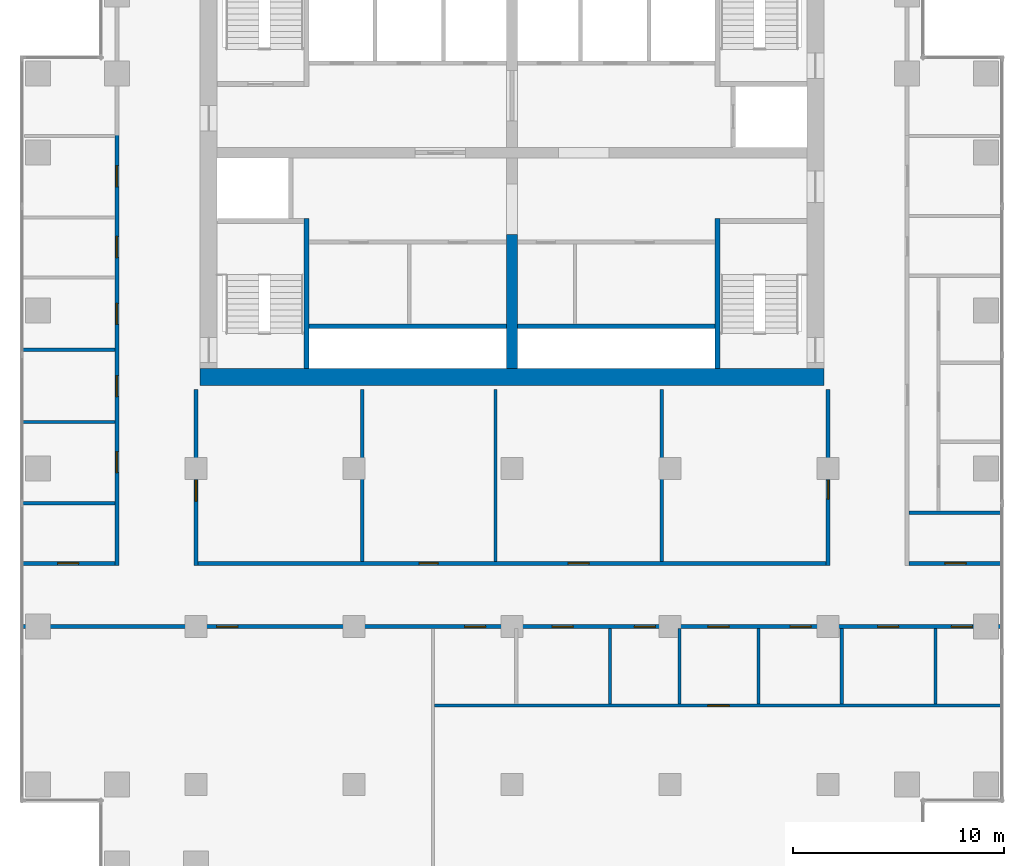
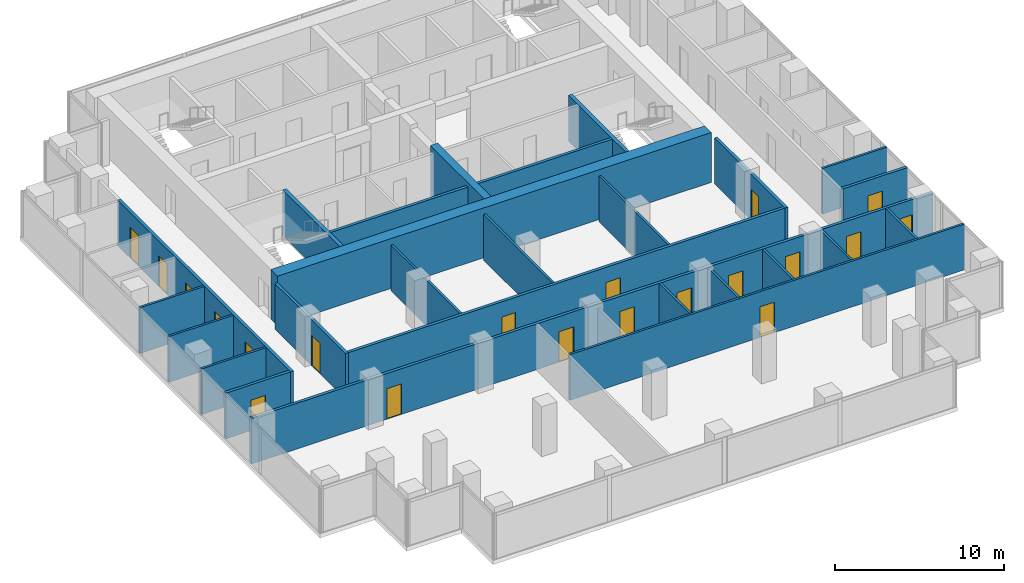
# One storey, part 7 of 10: 26 walls, 20 doors, 20 openings.
"""IFC4 building model written with IfcOpenShell, lengths in metres."""

from ifc_helpers import new_model, si_unit, direction, frame, frame_2d, origin, place, context, subcontext, project, spatial, rectangle, extrude, material, layer, layer_set, type_object, element, fill, save


model = new_model("IFC4")

# Units and contexts
model_context = context("Model", 3, precision=1e-05, world=origin(), true_north=direction((0.0, 1.0)))
body_context = subcontext(model_context, "Body", "Model", "MODEL_VIEW")
ifc_project = project(units=[si_unit("LENGTHUNIT", "METRE"), si_unit("AREAUNIT", "SQUARE_METRE"), si_unit("VOLUMEUNIT", "CUBIC_METRE"), si_unit("PLANEANGLEUNIT", "RADIAN"), si_unit("MASSUNIT", "GRAM", prefix="KILO")], contexts=[model_context])

# Site, building, storey
site_placement = place(None, origin())
site = spatial("IfcSite", under=ifc_project, at=site_placement, CompositionType="ELEMENT")
building_placement = place(site_placement, origin())
building = spatial("IfcBuilding", under=site, at=building_placement, Name="Pilkhan Gate Tower", CompositionType="ELEMENT")
storey_placement = place(building_placement, frame((0.0, 0.0, 165.699951171875)))
storey = spatial("IfcBuildingStorey", under=building, at=storey_placement, Name="L42", CompositionType="ELEMENT", Elevation=165.699951171875)

# Wall
ifc_material_1 = material(Name="Concrete C60/75", Category="concrete")
ifc_layer_1 = layer(ifc_material_1, 0.800048828125)
ifc_layer_set_1 = layer_set([ifc_layer_1], Name="Core wall CW800 C60/75")
wall_type_1 = type_object("IfcWallType", Name="Core wall CW800 C60/75", PredefinedType="SHEAR", material=ifc_layer_set_1)
wall_1_placement = place(storey_placement, frame((60.199951171875, 71.85009765625, 0.0), z_axis=(0.0, 0.0, 1.0), x_axis=(1.0, 0.0, 0.0)))
element("IfcWall", 1, at=wall_1_placement, inside=storey, type_object=wall_type_1, Name="Core wall S L42", PredefinedType="SHEAR", context=body_context, shape_type="SweptSolid", body=[
    extrude(rectangle(XDim=29.60009765625, YDim=0.800048828125, at=frame_2d((14.800048828125, 0.0))), origin(), (0.0, 0.0, 1.0), 3.60009765625),
])

# Wall, openings, doors
ifc_material_2 = material(Name="Dense blockwork", Category="masonry")
ifc_layer_2 = layer(ifc_material_2, 0.199951171875)
ifc_layer_set_2 = layer_set([ifc_layer_2], Name="Corridor wall FW200")
wall_type_2 = type_object("IfcWallType", Name="Corridor wall FW200", PredefinedType="PARTITIONING", material=ifc_layer_set_2)
wall_2_placement = place(storey_placement, frame((51.735107421875, 60.0, 0.0), z_axis=(0.0, 0.0, 1.0), x_axis=(1.0, 0.0, 0.0)))
wall_2 = element("IfcWall", 2, at=wall_2_placement, inside=storey, type_object=wall_type_2, Name="Partition L42", PredefinedType="PARTITIONING", context=body_context, shape_type="SweptSolid", body=[
    extrude(rectangle(XDim=46.52978515625, YDim=0.199951171875, at=frame_2d((23.264892578125, 0.0))), origin(), (0.0, 0.0, 1.0), 3.300048828125),
])
opening_1_placement = place(wall_2_placement, frame((25.169921875, 0.0, 0.0)))
opening_1 = element("IfcOpeningElement", 3, at=opening_1_placement, cuts=wall_2, Name="Opening L42-06", PredefinedType="OPENING", context=body_context, shape_type="SweptSolid", body=[
    extrude(rectangle(XDim=1.0, YDim=2.199951171875, at=frame_2d((0.5, 1.10009765625))), frame((0.0, 0.10986328125, 0.0), z_axis=(0.0, -1.0, 0.0), x_axis=(1.0, 0.0, 0.0)), (0.0, 0.0, 1.0), 0.219970703125),
])
opening_2_placement = place(wall_2_placement, frame((32.56494140625, 0.0, 0.0)))
opening_2 = element("IfcOpeningElement", 4, at=opening_2_placement, cuts=wall_2, Name="Opening L42-07", PredefinedType="OPENING", context=body_context, shape_type="SweptSolid", body=[
    extrude(rectangle(XDim=1.0, YDim=2.199951171875, at=frame_2d((0.5, 1.10009765625))), frame((0.0, 0.10986328125, 0.0), z_axis=(0.0, -1.0, 0.0), x_axis=(1.0, 0.0, 0.0)), (0.0, 0.0, 1.0), 0.219970703125),
])
opening_3_placement = place(wall_2_placement, frame((40.6201171875, 0.0, 0.0)))
opening_3 = element("IfcOpeningElement", 5, at=opening_3_placement, cuts=wall_2, Name="Opening L42-08", PredefinedType="OPENING", context=body_context, shape_type="SweptSolid", body=[
    extrude(rectangle(XDim=1.0, YDim=2.199951171875, at=frame_2d((0.5, 1.10009765625))), frame((0.0, 0.10986328125, 0.0), z_axis=(0.0, -1.0, 0.0), x_axis=(1.0, 0.0, 0.0)), (0.0, 0.0, 1.0), 0.219970703125),
])
opening_4_placement = place(wall_2_placement, frame((9.25, 0.0, 0.0)))
opening_4 = element("IfcOpeningElement", 6, at=opening_4_placement, cuts=wall_2, Name="Opening L42-18", PredefinedType="OPENING", context=body_context, shape_type="SweptSolid", body=[
    extrude(rectangle(XDim=1.0, YDim=2.199951171875, at=frame_2d((0.5, 1.10009765625))), frame((0.0, 0.10986328125, 0.0), z_axis=(0.0, -1.0, 0.0), x_axis=(1.0, 0.0, 0.0)), (0.0, 0.0, 1.0), 0.219970703125),
])
opening_5_placement = place(wall_2_placement, frame((21.014892578125, 0.0, 0.0)))
opening_5 = element("IfcOpeningElement", 7, at=opening_5_placement, cuts=wall_2, Name="Opening L42-19", PredefinedType="OPENING", context=body_context, shape_type="SweptSolid", body=[
    extrude(rectangle(XDim=1.0, YDim=2.199951171875, at=frame_2d((0.5, 1.10009765625))), frame((0.0, 0.10986328125, 0.0), z_axis=(0.0, -1.0, 0.0), x_axis=(1.0, 0.0, 0.0)), (0.0, 0.0, 1.0), 0.219970703125),
])
opening_6_placement = place(wall_2_placement, frame((29.069091796875, 0.0, 0.0)))
opening_6 = element("IfcOpeningElement", 8, at=opening_6_placement, cuts=wall_2, Name="Opening L42-20", PredefinedType="OPENING", context=body_context, shape_type="SweptSolid", body=[
    extrude(rectangle(XDim=1.0, YDim=2.199951171875, at=frame_2d((0.5, 1.10009765625))), frame((0.0, 0.10986328125, 0.0), z_axis=(0.0, -1.0, 0.0), x_axis=(1.0, 0.0, 0.0)), (0.0, 0.0, 1.0), 0.219970703125),
])
opening_7_placement = place(wall_2_placement, frame((36.465087890625, 0.0, 0.0)))
opening_7 = element("IfcOpeningElement", 9, at=opening_7_placement, cuts=wall_2, Name="Opening L42-21", PredefinedType="OPENING", context=body_context, shape_type="SweptSolid", body=[
    extrude(rectangle(XDim=1.0, YDim=2.199951171875, at=frame_2d((0.5, 1.10009765625))), frame((0.0, 0.10986328125, 0.0), z_axis=(0.0, -1.0, 0.0), x_axis=(1.0, 0.0, 0.0)), (0.0, 0.0, 1.0), 0.219970703125),
])
opening_8_placement = place(wall_2_placement, frame((44.118896484375, 0.0, 0.0)))
opening_8 = element("IfcOpeningElement", 10, at=opening_8_placement, cuts=wall_2, Name="Opening L42-22", PredefinedType="OPENING", context=body_context, shape_type="SweptSolid", body=[
    extrude(rectangle(XDim=1.0, YDim=2.199951171875, at=frame_2d((0.5, 1.10009765625))), frame((0.0, 0.10986328125, 0.0), z_axis=(0.0, -1.0, 0.0), x_axis=(1.0, 0.0, 0.0)), (0.0, 0.0, 1.0), 0.219970703125),
])
ifc_material_3 = material(Name="Timber flush door, 30 minute fire resisting", Category="wood")
door_type_1 = type_object("IfcDoorType", Name="Room door D03 1000x2200", OperationType="SINGLE_SWING_LEFT", PredefinedType="DOOR", material=ifc_material_3)
door_1_placement = place(opening_1_placement, origin())
door_1 = element("IfcDoor", 11, at=door_1_placement, inside=storey, type_object=door_type_1, Name="Room door", OperationType="SINGLE_SWING_LEFT", OverallHeight=2.199951171875, OverallWidth=1.0, PredefinedType="DOOR", context=body_context, shape_type="SweptSolid", body=[
    extrude(rectangle(XDim=1.0, YDim=2.199951171875, at=frame_2d((0.5, 1.10009765625))), frame((0.0, 0.02490234375, 0.0), z_axis=(0.0, -1.0, 0.0), x_axis=(1.0, 0.0, 0.0)), (0.0, 0.0, 1.0), 0.050048828125),
])
fill(opening_1, door_1)
door_2_placement = place(opening_2_placement, origin())
door_2 = element("IfcDoor", 12, at=door_2_placement, inside=storey, type_object=door_type_1, Name="Room door", OperationType="SINGLE_SWING_LEFT", OverallHeight=2.199951171875, OverallWidth=1.0, PredefinedType="DOOR", context=body_context, shape_type="SweptSolid", body=[
    extrude(rectangle(XDim=1.0, YDim=2.199951171875, at=frame_2d((0.5, 1.10009765625))), frame((0.0, 0.02490234375, 0.0), z_axis=(0.0, -1.0, 0.0), x_axis=(1.0, 0.0, 0.0)), (0.0, 0.0, 1.0), 0.050048828125),
])
fill(opening_2, door_2)
door_3_placement = place(opening_3_placement, origin())
door_3 = element("IfcDoor", 13, at=door_3_placement, inside=storey, type_object=door_type_1, Name="Room door", OperationType="SINGLE_SWING_LEFT", OverallHeight=2.199951171875, OverallWidth=1.0, PredefinedType="DOOR", context=body_context, shape_type="SweptSolid", body=[
    extrude(rectangle(XDim=1.0, YDim=2.199951171875, at=frame_2d((0.5, 1.10009765625))), frame((0.0, 0.02490234375, 0.0), z_axis=(0.0, -1.0, 0.0), x_axis=(1.0, 0.0, 0.0)), (0.0, 0.0, 1.0), 0.050048828125),
])
fill(opening_3, door_3)
door_4_placement = place(opening_4_placement, origin())
door_4 = element("IfcDoor", 14, at=door_4_placement, inside=storey, type_object=door_type_1, Name="Room door", OperationType="SINGLE_SWING_LEFT", OverallHeight=2.199951171875, OverallWidth=1.0, PredefinedType="DOOR", context=body_context, shape_type="SweptSolid", body=[
    extrude(rectangle(XDim=1.0, YDim=2.199951171875, at=frame_2d((0.5, 1.10009765625))), frame((0.0, 0.02490234375, 0.0), z_axis=(0.0, -1.0, 0.0), x_axis=(1.0, 0.0, 0.0)), (0.0, 0.0, 1.0), 0.050048828125),
])
fill(opening_4, door_4)
door_5_placement = place(opening_5_placement, origin())
door_5 = element("IfcDoor", 15, at=door_5_placement, inside=storey, type_object=door_type_1, Name="Room door", OperationType="SINGLE_SWING_LEFT", OverallHeight=2.199951171875, OverallWidth=1.0, PredefinedType="DOOR", context=body_context, shape_type="SweptSolid", body=[
    extrude(rectangle(XDim=1.0, YDim=2.199951171875, at=frame_2d((0.5, 1.10009765625))), frame((0.0, 0.02490234375, 0.0), z_axis=(0.0, -1.0, 0.0), x_axis=(1.0, 0.0, 0.0)), (0.0, 0.0, 1.0), 0.050048828125),
])
fill(opening_5, door_5)
door_6_placement = place(opening_6_placement, origin())
door_6 = element("IfcDoor", 16, at=door_6_placement, inside=storey, type_object=door_type_1, Name="Room door", OperationType="SINGLE_SWING_RIGHT", OverallHeight=2.199951171875, OverallWidth=1.0, PredefinedType="DOOR", context=body_context, shape_type="SweptSolid", body=[
    extrude(rectangle(XDim=1.0, YDim=2.199951171875, at=frame_2d((0.5, 1.10009765625))), frame((0.0, 0.02490234375, 0.0), z_axis=(0.0, -1.0, 0.0), x_axis=(1.0, 0.0, 0.0)), (0.0, 0.0, 1.0), 0.050048828125),
])
fill(opening_6, door_6)
door_7_placement = place(opening_7_placement, origin())
door_7 = element("IfcDoor", 17, at=door_7_placement, inside=storey, type_object=door_type_1, Name="Room door", OperationType="SINGLE_SWING_LEFT", OverallHeight=2.199951171875, OverallWidth=1.0, PredefinedType="DOOR", context=body_context, shape_type="SweptSolid", body=[
    extrude(rectangle(XDim=1.0, YDim=2.199951171875, at=frame_2d((0.5, 1.10009765625))), frame((0.0, 0.02490234375, 0.0), z_axis=(0.0, -1.0, 0.0), x_axis=(1.0, 0.0, 0.0)), (0.0, 0.0, 1.0), 0.050048828125),
])
fill(opening_7, door_7)
door_8_placement = place(opening_8_placement, origin())
door_8 = element("IfcDoor", 18, at=door_8_placement, inside=storey, type_object=door_type_1, Name="Room door", OperationType="SINGLE_SWING_LEFT", OverallHeight=2.199951171875, OverallWidth=1.0, PredefinedType="DOOR", context=body_context, shape_type="SweptSolid", body=[
    extrude(rectangle(XDim=1.0, YDim=2.199951171875, at=frame_2d((0.5, 1.10009765625))), frame((0.0, 0.02490234375, 0.0), z_axis=(0.0, -1.0, 0.0), x_axis=(1.0, 0.0, 0.0)), (0.0, 0.0, 1.0), 0.050048828125),
])
fill(opening_8, door_8)

# Wall, opening, door
wall_3_placement = place(storey_placement, frame((51.735107421875, 63.0, 0.0), z_axis=(0.0, 0.0, 1.0), x_axis=(1.0, 0.0, 0.0)))
wall_3 = element("IfcWall", 19, at=wall_3_placement, inside=storey, type_object=wall_type_2, Name="Partition L42", PredefinedType="PARTITIONING", context=body_context, shape_type="SweptSolid", body=[
    extrude(rectangle(XDim=4.414794921875, YDim=0.199951171875, at=frame_2d((2.20751953125, 0.0))), origin(), (0.0, 0.0, 1.0), 3.300048828125),
])
opening_9_placement = place(wall_3_placement, frame((1.699951171875, 0.0, 0.0)))
opening_9 = element("IfcOpeningElement", 20, at=opening_9_placement, cuts=wall_3, Name="Opening L42-24", PredefinedType="OPENING", context=body_context, shape_type="SweptSolid", body=[
    extrude(rectangle(XDim=1.0, YDim=2.199951171875, at=frame_2d((0.5, 1.10009765625))), frame((0.0, 0.10986328125, 0.0), z_axis=(0.0, -1.0, 0.0), x_axis=(1.0, 0.0, 0.0)), (0.0, 0.0, 1.0), 0.219970703125),
])
door_9_placement = place(opening_9_placement, origin())
door_9 = element("IfcDoor", 21, at=door_9_placement, inside=storey, type_object=door_type_1, Name="Room door", OperationType="SINGLE_SWING_LEFT", OverallHeight=2.199951171875, OverallWidth=1.0, PredefinedType="DOOR", context=body_context, shape_type="SweptSolid", body=[
    extrude(rectangle(XDim=1.0, YDim=2.199951171875, at=frame_2d((0.5, 1.10009765625))), frame((0.0, 0.02490234375, 0.0), z_axis=(0.0, -1.0, 0.0), x_axis=(1.0, 0.0, 0.0)), (0.0, 0.0, 1.0), 0.050048828125),
])
fill(opening_9, door_9)

# Wall, openings, doors
wall_4_placement = place(storey_placement, frame((60.10009765625, 63.0, 0.0), z_axis=(0.0, 0.0, 1.0), x_axis=(1.0, 0.0, 0.0)))
wall_4 = element("IfcWall", 22, at=wall_4_placement, inside=storey, type_object=wall_type_2, Name="Partition L42", PredefinedType="PARTITIONING", context=body_context, shape_type="SweptSolid", body=[
    extrude(rectangle(XDim=29.7998046875, YDim=0.199951171875, at=frame_2d((14.89990234375, 0.0))), origin(), (0.0, 0.0, 1.0), 3.300048828125),
])
opening_10_placement = place(wall_4_placement, frame((10.4951171875, 0.0, 0.0)))
opening_10 = element("IfcOpeningElement", 23, at=opening_10_placement, cuts=wall_4, Name="Opening L42-35", PredefinedType="OPENING", context=body_context, shape_type="SweptSolid", body=[
    extrude(rectangle(XDim=0.89990234375, YDim=2.199951171875, at=frame_2d((0.449951171875, 1.10009765625))), frame((0.0, 0.10986328125, 0.0), z_axis=(0.0, -1.0, 0.0), x_axis=(1.0, 0.0, 0.0)), (0.0, 0.0, 1.0), 0.219970703125),
])
opening_11_placement = place(wall_4_placement, frame((17.56103515625, 0.0, 0.0)))
opening_11 = element("IfcOpeningElement", 24, at=opening_11_placement, cuts=wall_4, Name="Opening L42-36", PredefinedType="OPENING", context=body_context, shape_type="SweptSolid", body=[
    extrude(rectangle(XDim=1.0, YDim=2.199951171875, at=frame_2d((0.5, 1.10009765625))), frame((0.0, 0.10986328125, 0.0), z_axis=(0.0, -1.0, 0.0), x_axis=(1.0, 0.0, 0.0)), (0.0, 0.0, 1.0), 0.219970703125),
])
door_10_placement = place(opening_11_placement, origin())
door_10 = element("IfcDoor", 25, at=door_10_placement, inside=storey, type_object=door_type_1, Name="Room door", OperationType="SINGLE_SWING_RIGHT", OverallHeight=2.199951171875, OverallWidth=1.0, PredefinedType="DOOR", context=body_context, shape_type="SweptSolid", body=[
    extrude(rectangle(XDim=1.0, YDim=2.199951171875, at=frame_2d((0.5, 1.10009765625))), frame((0.0, 0.02490234375, 0.0), z_axis=(0.0, -1.0, 0.0), x_axis=(1.0, 0.0, 0.0)), (0.0, 0.0, 1.0), 0.050048828125),
])
fill(opening_11, door_10)
ifc_material_4 = material(Name="Timber flush door, 60 minute fire resisting, self-closing", Category="wood")
door_type_2 = type_object("IfcDoorType", Name="Store door D05 900x2200", OperationType="SINGLE_SWING_LEFT", PredefinedType="DOOR", material=ifc_material_4)
door_11_placement = place(opening_10_placement, origin())
door_11 = element("IfcDoor", 26, at=door_11_placement, inside=storey, type_object=door_type_2, Name="Store door", OperationType="SINGLE_SWING_RIGHT", OverallHeight=2.199951171875, OverallWidth=0.89990234375, PredefinedType="DOOR", context=body_context, shape_type="SweptSolid", body=[
    extrude(rectangle(XDim=0.89990234375, YDim=2.199951171875, at=frame_2d((0.449951171875, 1.10009765625))), frame((0.0, 0.02490234375, 0.0), z_axis=(0.0, -1.0, 0.0), x_axis=(1.0, 0.0, 0.0)), (0.0, 0.0, 1.0), 0.050048828125),
])
fill(opening_10, door_11)

# Wall, opening, door
wall_5_placement = place(storey_placement, frame((93.85009765625, 63.0, 0.0), z_axis=(0.0, 0.0, 1.0), x_axis=(1.0, 0.0, 0.0)))
wall_5 = element("IfcWall", 27, at=wall_5_placement, inside=storey, type_object=wall_type_2, Name="Partition L42", PredefinedType="PARTITIONING", context=body_context, shape_type="SweptSolid", body=[
    extrude(rectangle(XDim=4.414794921875, YDim=0.199951171875, at=frame_2d((2.20751953125, 0.0))), origin(), (0.0, 0.0, 1.0), 3.300048828125),
])
opening_12_placement = place(wall_5_placement, frame((1.699951171875, 0.0, 0.0)))
opening_12 = element("IfcOpeningElement", 28, at=opening_12_placement, cuts=wall_5, Name="Opening L42-31", PredefinedType="OPENING", context=body_context, shape_type="SweptSolid", body=[
    extrude(rectangle(XDim=1.0, YDim=2.199951171875, at=frame_2d((0.5, 1.10009765625))), frame((0.0, 0.10986328125, 0.0), z_axis=(0.0, -1.0, 0.0), x_axis=(1.0, 0.0, 0.0)), (0.0, 0.0, 1.0), 0.219970703125),
])
door_12_placement = place(opening_12_placement, origin())
door_12 = element("IfcDoor", 29, at=door_12_placement, inside=storey, type_object=door_type_1, Name="Room door", OperationType="SINGLE_SWING_LEFT", OverallHeight=2.199951171875, OverallWidth=1.0, PredefinedType="DOOR", context=body_context, shape_type="SweptSolid", body=[
    extrude(rectangle(XDim=1.0, YDim=2.199951171875, at=frame_2d((0.5, 1.10009765625))), frame((0.0, 0.02490234375, 0.0), z_axis=(0.0, -1.0, 0.0), x_axis=(1.0, 0.0, 0.0)), (0.0, 0.0, 1.0), 0.050048828125),
])
fill(opening_12, door_12)

# Wall, openings, doors
wall_6_placement = place(storey_placement, frame((56.25, 62.89990234375, 0.0), z_axis=(0.0, 0.0, 1.0), x_axis=(0.0, 1.0, 0.0)))
wall_6 = element("IfcWall", 30, at=wall_6_placement, inside=storey, type_object=wall_type_2, Name="Partition L42", PredefinedType="PARTITIONING", context=body_context, shape_type="SweptSolid", body=[
    extrude(rectangle(XDim=20.455078125, YDim=0.199951171875, at=frame_2d((10.2275390625, 0.0))), origin(), (0.0, 0.0, 1.0), 3.300048828125),
])
opening_13_placement = place(wall_6_placement, frame((4.406005859375, 0.0, 0.0)))
opening_13 = element("IfcOpeningElement", 31, at=opening_13_placement, cuts=wall_6, Name="Opening L42-09", PredefinedType="OPENING", context=body_context, shape_type="SweptSolid", body=[
    extrude(rectangle(XDim=1.0, YDim=2.199951171875, at=frame_2d((0.5, 1.10009765625))), frame((0.0, 0.10986328125, 0.0), z_axis=(0.0, -1.0, 0.0), x_axis=(1.0, 0.0, 0.0)), (0.0, 0.0, 1.0), 0.219970703125),
])
opening_14_placement = place(wall_6_placement, frame((17.97412109375, 0.0, 0.0)))
opening_14 = element("IfcOpeningElement", 32, at=opening_14_placement, cuts=wall_6, Name="Opening L42-10", PredefinedType="OPENING", context=body_context, shape_type="SweptSolid", body=[
    extrude(rectangle(XDim=1.0, YDim=2.199951171875, at=frame_2d((0.5, 1.10009765625))), frame((0.0, 0.10986328125, 0.0), z_axis=(0.0, -1.0, 0.0), x_axis=(1.0, 0.0, 0.0)), (0.0, 0.0, 1.0), 0.219970703125),
])
opening_15_placement = place(wall_6_placement, frame((8.011962890625, 0.0, 0.0)))
opening_15 = element("IfcOpeningElement", 33, at=opening_15_placement, cuts=wall_6, Name="Opening L42-25", PredefinedType="OPENING", context=body_context, shape_type="SweptSolid", body=[
    extrude(rectangle(XDim=1.0, YDim=2.199951171875, at=frame_2d((0.5, 1.10009765625))), frame((0.0, 0.10986328125, 0.0), z_axis=(0.0, -1.0, 0.0), x_axis=(1.0, 0.0, 0.0)), (0.0, 0.0, 1.0), 0.219970703125),
])
opening_16_placement = place(wall_6_placement, frame((11.43994140625, 0.0, 0.0)))
opening_16 = element("IfcOpeningElement", 34, at=opening_16_placement, cuts=wall_6, Name="Opening L42-26", PredefinedType="OPENING", context=body_context, shape_type="SweptSolid", body=[
    extrude(rectangle(XDim=1.0, YDim=2.199951171875, at=frame_2d((0.5, 1.10009765625))), frame((0.0, 0.10986328125, 0.0), z_axis=(0.0, -1.0, 0.0), x_axis=(1.0, 0.0, 0.0)), (0.0, 0.0, 1.0), 0.219970703125),
])
opening_17_placement = place(wall_6_placement, frame((14.617919921875, 0.0, 0.0)))
opening_17 = element("IfcOpeningElement", 35, at=opening_17_placement, cuts=wall_6, Name="Opening L42-27", PredefinedType="OPENING", context=body_context, shape_type="SweptSolid", body=[
    extrude(rectangle(XDim=1.0, YDim=2.199951171875, at=frame_2d((0.5, 1.10009765625))), frame((0.0, 0.10986328125, 0.0), z_axis=(0.0, -1.0, 0.0), x_axis=(1.0, 0.0, 0.0)), (0.0, 0.0, 1.0), 0.219970703125),
])
door_13_placement = place(opening_13_placement, origin())
door_13 = element("IfcDoor", 36, at=door_13_placement, inside=storey, type_object=door_type_1, Name="Room door", OperationType="SINGLE_SWING_LEFT", OverallHeight=2.199951171875, OverallWidth=1.0, PredefinedType="DOOR", context=body_context, shape_type="SweptSolid", body=[
    extrude(rectangle(XDim=1.0, YDim=2.199951171875, at=frame_2d((0.5, 1.10009765625))), frame((0.0, 0.02490234375, 0.0), z_axis=(0.0, -1.0, 0.0), x_axis=(1.0, 0.0, 0.0)), (0.0, 0.0, 1.0), 0.050048828125),
])
fill(opening_13, door_13)
door_14_placement = place(opening_14_placement, origin())
door_14 = element("IfcDoor", 37, at=door_14_placement, inside=storey, type_object=door_type_1, Name="Room door", OperationType="SINGLE_SWING_LEFT", OverallHeight=2.199951171875, OverallWidth=1.0, PredefinedType="DOOR", context=body_context, shape_type="SweptSolid", body=[
    extrude(rectangle(XDim=1.0, YDim=2.199951171875, at=frame_2d((0.5, 1.10009765625))), frame((0.0, 0.02490234375, 0.0), z_axis=(0.0, -1.0, 0.0), x_axis=(1.0, 0.0, 0.0)), (0.0, 0.0, 1.0), 0.050048828125),
])
fill(opening_14, door_14)
door_15_placement = place(opening_15_placement, origin())
door_15 = element("IfcDoor", 38, at=door_15_placement, inside=storey, type_object=door_type_1, Name="Room door", OperationType="SINGLE_SWING_LEFT", OverallHeight=2.199951171875, OverallWidth=1.0, PredefinedType="DOOR", context=body_context, shape_type="SweptSolid", body=[
    extrude(rectangle(XDim=1.0, YDim=2.199951171875, at=frame_2d((0.5, 1.10009765625))), frame((0.0, 0.02490234375, 0.0), z_axis=(0.0, -1.0, 0.0), x_axis=(1.0, 0.0, 0.0)), (0.0, 0.0, 1.0), 0.050048828125),
])
fill(opening_15, door_15)
door_16_placement = place(opening_16_placement, origin())
door_16 = element("IfcDoor", 39, at=door_16_placement, inside=storey, type_object=door_type_1, Name="Room door", OperationType="SINGLE_SWING_RIGHT", OverallHeight=2.199951171875, OverallWidth=1.0, PredefinedType="DOOR", context=body_context, shape_type="SweptSolid", body=[
    extrude(rectangle(XDim=1.0, YDim=2.199951171875, at=frame_2d((0.5, 1.10009765625))), frame((0.0, 0.02490234375, 0.0), z_axis=(0.0, -1.0, 0.0), x_axis=(1.0, 0.0, 0.0)), (0.0, 0.0, 1.0), 0.050048828125),
])
fill(opening_16, door_16)
door_17_placement = place(opening_17_placement, origin())
door_17 = element("IfcDoor", 40, at=door_17_placement, inside=storey, type_object=door_type_1, Name="Room door", OperationType="SINGLE_SWING_LEFT", OverallHeight=2.199951171875, OverallWidth=1.0, PredefinedType="DOOR", context=body_context, shape_type="SweptSolid", body=[
    extrude(rectangle(XDim=1.0, YDim=2.199951171875, at=frame_2d((0.5, 1.10009765625))), frame((0.0, 0.02490234375, 0.0), z_axis=(0.0, -1.0, 0.0), x_axis=(1.0, 0.0, 0.0)), (0.0, 0.0, 1.0), 0.050048828125),
])
fill(opening_17, door_17)

# Wall, opening, door
wall_7_placement = place(storey_placement, frame((60.0, 62.89990234375, 0.0), z_axis=(0.0, 0.0, 1.0), x_axis=(0.0, 1.0, 0.0)))
wall_7 = element("IfcWall", 41, at=wall_7_placement, inside=storey, type_object=wall_type_2, Name="Partition L42", PredefinedType="PARTITIONING", context=body_context, shape_type="SweptSolid", body=[
    extrude(rectangle(XDim=8.35009765625, YDim=0.199951171875, at=frame_2d((4.175048828125, 0.0))), origin(), (0.0, 0.0, 1.0), 3.300048828125),
])
opening_18_placement = place(wall_7_placement, frame((3.050048828125, 0.0, 0.0)))
opening_18 = element("IfcOpeningElement", 42, at=opening_18_placement, cuts=wall_7, Name="Opening L42-34", PredefinedType="OPENING", context=body_context, shape_type="SweptSolid", body=[
    extrude(rectangle(XDim=1.0, YDim=2.199951171875, at=frame_2d((0.5, 1.10009765625))), frame((0.0, 0.10986328125, 0.0), z_axis=(0.0, -1.0, 0.0), x_axis=(1.0, 0.0, 0.0)), (0.0, 0.0, 1.0), 0.219970703125),
])
door_18_placement = place(opening_18_placement, origin())
door_18 = element("IfcDoor", 43, at=door_18_placement, inside=storey, type_object=door_type_1, Name="Room door", OperationType="SINGLE_SWING_RIGHT", OverallHeight=2.199951171875, OverallWidth=1.0, PredefinedType="DOOR", context=body_context, shape_type="SweptSolid", body=[
    extrude(rectangle(XDim=1.0, YDim=2.199951171875, at=frame_2d((0.5, 1.10009765625))), frame((0.0, 0.02490234375, 0.0), z_axis=(0.0, -1.0, 0.0), x_axis=(1.0, 0.0, 0.0)), (0.0, 0.0, 1.0), 0.050048828125),
])
fill(opening_18, door_18)

wall_8_placement = place(storey_placement, frame((90.0, 62.89990234375, 0.0), z_axis=(0.0, 0.0, 1.0), x_axis=(0.0, 1.0, 0.0)))
wall_8 = element("IfcWall", 44, at=wall_8_placement, inside=storey, type_object=wall_type_2, Name="Partition L42", PredefinedType="PARTITIONING", context=body_context, shape_type="SweptSolid", body=[
    extrude(rectangle(XDim=8.35009765625, YDim=0.199951171875, at=frame_2d((4.175048828125, 0.0))), origin(), (0.0, 0.0, 1.0), 3.300048828125),
])
opening_19_placement = place(wall_8_placement, frame((3.14990234375, 0.0, 0.0)))
opening_19 = element("IfcOpeningElement", 45, at=opening_19_placement, cuts=wall_8, Name="Opening L42-37", PredefinedType="OPENING", context=body_context, shape_type="SweptSolid", body=[
    extrude(rectangle(XDim=0.89990234375, YDim=2.199951171875, at=frame_2d((0.449951171875, 1.10009765625))), frame((0.0, 0.10986328125, 0.0), z_axis=(0.0, -1.0, 0.0), x_axis=(1.0, 0.0, 0.0)), (0.0, 0.0, 1.0), 0.219970703125),
])
door_19_placement = place(opening_19_placement, origin())
door_19 = element("IfcDoor", 46, at=door_19_placement, inside=storey, type_object=door_type_2, Name="Store door", OperationType="SINGLE_SWING_LEFT", OverallHeight=2.199951171875, OverallWidth=0.89990234375, PredefinedType="DOOR", context=body_context, shape_type="SweptSolid", body=[
    extrude(rectangle(XDim=0.89990234375, YDim=2.199951171875, at=frame_2d((0.449951171875, 1.10009765625))), frame((0.0, 0.02490234375, 0.0), z_axis=(0.0, -1.0, 0.0), x_axis=(1.0, 0.0, 0.0)), (0.0, 0.0, 1.0), 0.050048828125),
])
fill(opening_19, door_19)

# Walls
ifc_layer_3 = layer(ifc_material_2, 0.199951171875)
ifc_layer_set_3 = layer_set([ifc_layer_3], Name="Lobby wall LW200")
wall_type_3 = type_object("IfcWallType", Name="Lobby wall LW200", PredefinedType="PARTITIONING", material=ifc_layer_set_3)
for number, where, z_axis, x_axis, name in (
    (47, (65.375, 74.25, 0.0), (0.0, 0.0, 1.0), (1.0, 0.0, 0.0), "Partition L42"),
    (48, (75.260009765625, 74.25, 0.0), (0.0, 0.0, 1.0), (1.0, 0.0, 0.0), "Partition L42"),
):
    element("IfcWall", number, at=place(storey_placement, frame(where, z_axis=z_axis, x_axis=x_axis)), inside=storey, type_object=wall_type_3, Name=name, PredefinedType="PARTITIONING", context=body_context, shape_type="SweptSolid", body=[
        extrude(rectangle(XDim=9.364990234375, YDim=0.199951171875, at=frame_2d((4.6826171875, 0.0))), origin(), (0.0, 0.0, 1.0), 3.300048828125),
    ])

# Wall, opening, door
ifc_material_5 = material(Name="Blockwork partition, plastered both sides", Category="masonry")
ifc_layer_4 = layer(ifc_material_5, 0.14990234375)
ifc_layer_set_4 = layer_set([ifc_layer_4], Name="Partition PW150")
wall_type_4 = type_object("IfcWallType", Name="Partition PW150", PredefinedType="PARTITIONING", material=ifc_layer_set_4)
wall_9_placement = place(storey_placement, frame((71.324951171875, 56.25, 0.0), z_axis=(0.0, 0.0, 1.0), x_axis=(1.0, 0.0, 0.0)))
wall_9 = element("IfcWall", 49, at=wall_9_placement, inside=storey, type_object=wall_type_4, Name="Partition L42", PredefinedType="PARTITIONING", context=body_context, shape_type="SweptSolid", body=[
    extrude(rectangle(XDim=26.93994140625, YDim=0.14990234375, at=frame_2d((13.469970703125, 0.0))), origin(), (0.0, 0.0, 1.0), 3.300048828125),
])
opening_20_placement = place(wall_9_placement, frame((12.97509765625, 0.0, 0.0)))
opening_20 = element("IfcOpeningElement", 50, at=opening_20_placement, cuts=wall_9, Name="Opening L42-23", PredefinedType="OPENING", context=body_context, shape_type="SweptSolid", body=[
    extrude(rectangle(XDim=1.0, YDim=2.199951171875, at=frame_2d((0.5, 1.10009765625))), frame((0.0, 0.0849609375, 0.0), z_axis=(0.0, -1.0, 0.0), x_axis=(1.0, 0.0, 0.0)), (0.0, 0.0, 1.0), 0.169921875),
])
door_20_placement = place(opening_20_placement, origin())
door_20 = element("IfcDoor", 51, at=door_20_placement, inside=storey, type_object=door_type_1, Name="Room door", OperationType="SINGLE_SWING_LEFT", OverallHeight=2.199951171875, OverallWidth=1.0, PredefinedType="DOOR", context=body_context, shape_type="SweptSolid", body=[
    extrude(rectangle(XDim=1.0, YDim=2.199951171875, at=frame_2d((0.5, 1.10009765625))), frame((0.0, 0.02490234375, 0.0), z_axis=(0.0, -1.0, 0.0), x_axis=(1.0, 0.0, 0.0)), (0.0, 0.0, 1.0), 0.050048828125),
])
fill(opening_20, door_20)

# Walls
for number, where, z_axis, x_axis, name in (
    (52, (93.85009765625, 65.39990234375, 0.0), (0.0, 0.0, 1.0), (1.0, 0.0, 0.0), "Partition L42"),
    (53, (51.735107421875, 65.85595703125, 0.0), (0.0, 0.0, 1.0), (1.0, 0.0, 0.0), "Partition L42"),
    (54, (51.735107421875, 69.7119140625, 0.0), (0.0, 0.0, 1.0), (1.0, 0.0, 0.0), "Partition L42"),
    (55, (51.735107421875, 73.139892578125, 0.0), (0.0, 0.0, 1.0), (1.0, 0.0, 0.0), "Partition L42"),
):
    element("IfcWall", number, at=place(storey_placement, frame(where, z_axis=z_axis, x_axis=x_axis)), inside=storey, type_object=wall_type_4, Name=name, PredefinedType="PARTITIONING", context=body_context, shape_type="SweptSolid", body=[
        extrude(rectangle(XDim=4.414794921875, YDim=0.14990234375, at=frame_2d((2.20751953125, 0.0))), origin(), (0.0, 0.0, 1.0), 3.300048828125),
    ])
for number, where, z_axis, x_axis, name in (
    (56, (67.89501953125, 63.10009765625, 0.0), (0.0, 0.0, 1.0), (0.0, 1.0, 0.0), "Partition L42"),
    (57, (74.2109375, 63.10009765625, 0.0), (0.0, 0.0, 1.0), (0.0, 1.0, 0.0), "Partition L42"),
):
    element("IfcWall", number, at=place(storey_placement, frame(where, z_axis=z_axis, x_axis=x_axis)), inside=storey, type_object=wall_type_4, Name=name, PredefinedType="PARTITIONING", context=body_context, shape_type="SweptSolid", body=[
        extrude(rectangle(XDim=8.14990234375, YDim=0.14990234375, at=frame_2d((4.074951171875, 0.0))), origin(), (0.0, 0.0, 1.0), 3.300048828125),
    ])
wall_10_placement = place(storey_placement, frame((79.654052734375, 56.324951171875, 0.0), z_axis=(0.0, 0.0, 1.0), x_axis=(0.0, 1.0, 0.0)))
element("IfcWall", 58, at=wall_10_placement, inside=storey, type_object=wall_type_4, Name="Partition L42", PredefinedType="PARTITIONING", context=body_context, shape_type="SweptSolid", body=[
    extrude(rectangle(XDim=3.574951171875, YDim=0.14990234375, at=frame_2d((1.78759765625, 0.0))), origin(), (0.0, 0.0, 1.0), 3.300048828125),
])
wall_11_placement = place(storey_placement, frame((82.10498046875, 63.10009765625, 0.0), z_axis=(0.0, 0.0, 1.0), x_axis=(0.0, 1.0, 0.0)))
element("IfcWall", 59, at=wall_11_placement, inside=storey, type_object=wall_type_4, Name="Partition L42", PredefinedType="PARTITIONING", context=body_context, shape_type="SweptSolid", body=[
    extrude(rectangle(XDim=8.14990234375, YDim=0.14990234375, at=frame_2d((4.074951171875, 0.0))), origin(), (0.0, 0.0, 1.0), 3.300048828125),
])
for number, where, z_axis, x_axis, name in (
    (60, (82.949951171875, 56.324951171875, 0.0), (0.0, 0.0, 1.0), (0.0, 1.0, 0.0), "Partition L42"),
    (61, (86.699951171875, 56.324951171875, 0.0), (0.0, 0.0, 1.0), (0.0, 1.0, 0.0), "Partition L42"),
    (62, (90.655029296875, 56.324951171875, 0.0), (0.0, 0.0, 1.0), (0.0, 1.0, 0.0), "Partition L42"),
    (63, (95.10400390625, 56.324951171875, 0.0), (0.0, 0.0, 1.0), (0.0, 1.0, 0.0), "Partition L42"),
):
    element("IfcWall", number, at=place(storey_placement, frame(where, z_axis=z_axis, x_axis=x_axis)), inside=storey, type_object=wall_type_4, Name=name, PredefinedType="PARTITIONING", context=body_context, shape_type="SweptSolid", body=[
        extrude(rectangle(XDim=3.574951171875, YDim=0.14990234375, at=frame_2d((1.78759765625, 0.0))), origin(), (0.0, 0.0, 1.0), 3.300048828125),
    ])
ifc_layer_5 = layer(ifc_material_1, 0.5)
ifc_layer_set_5 = layer_set([ifc_layer_5], Name="Spine wall SW500 C60/75")
wall_type_5 = type_object("IfcWallType", Name="Spine wall SW500 C60/75", PredefinedType="SHEAR", material=ifc_layer_set_5)
wall_12_placement = place(storey_placement, frame((75.0, 72.25, 0.0), z_axis=(0.0, 0.0, 1.0), x_axis=(0.0, 1.0, 0.0)))
element("IfcWall", 64, at=wall_12_placement, inside=storey, type_object=wall_type_5, Name="Spine wall SP-NS-S1 L42", PredefinedType="SHEAR", context=body_context, shape_type="SweptSolid", body=[
    extrude(rectangle(XDim=6.35009765625, YDim=0.5, at=frame_2d((3.175048828125, 0.0))), origin(), (0.0, 0.0, 1.0), 3.60009765625),
])
ifc_material_6 = material(Name="Reinforced blockwork, 120 minute fire resisting", Category="masonry")
ifc_layer_6 = layer(ifc_material_6, 0.25)
ifc_layer_set_6 = layer_set([ifc_layer_6], Name="Stair enclosure wall SE250")
wall_type_6 = type_object("IfcWallType", Name="Stair enclosure wall SE250", PredefinedType="PARTITIONING", material=ifc_layer_set_6)
for number, where, z_axis, x_axis, name in (
    (65, (65.25, 72.25, 0.0), (0.0, 0.0, 1.0), (0.0, 1.0, 0.0), "Partition L42"),
    (66, (84.75, 72.25, 0.0), (0.0, 0.0, 1.0), (0.0, 1.0, 0.0), "Partition L42"),
):
    element("IfcWall", number, at=place(storey_placement, frame(where, z_axis=z_axis, x_axis=x_axis)), inside=storey, type_object=wall_type_6, Name=name, PredefinedType="PARTITIONING", context=body_context, shape_type="SweptSolid", body=[
        extrude(rectangle(XDim=7.125, YDim=0.25, at=frame_2d((3.5625, 0.0))), origin(), (0.0, 0.0, 1.0), 3.300048828125),
    ])

save(model, "model.ifc")
